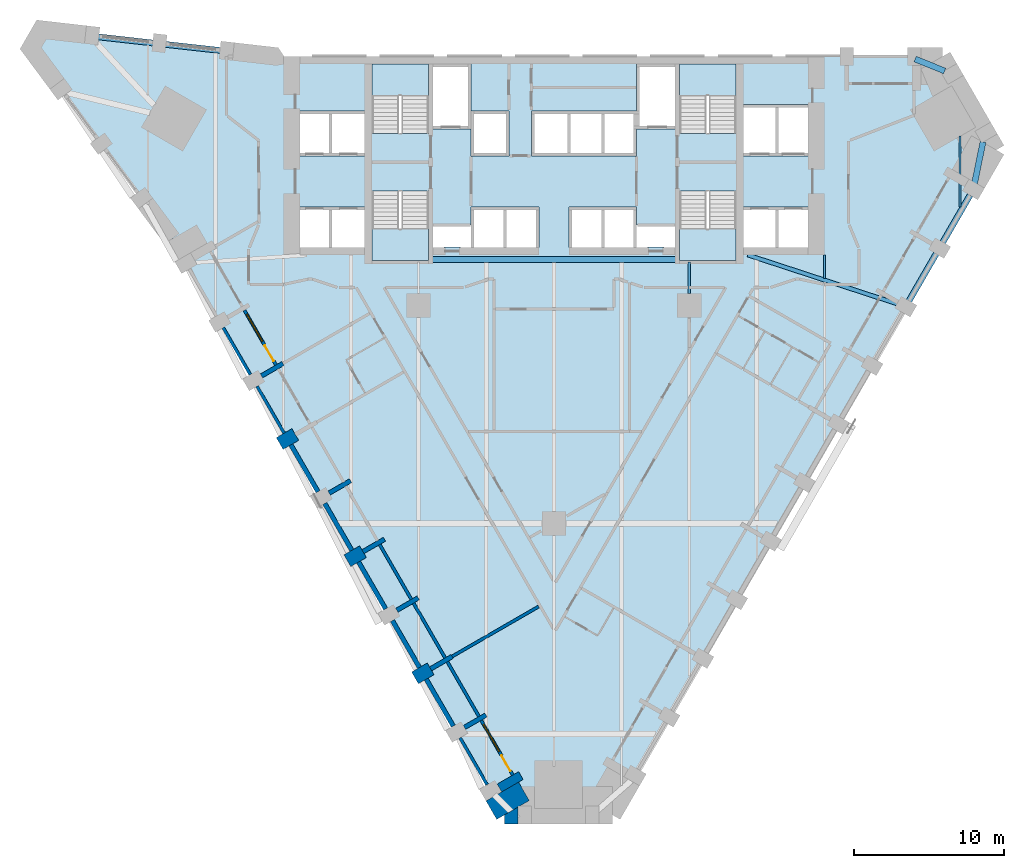
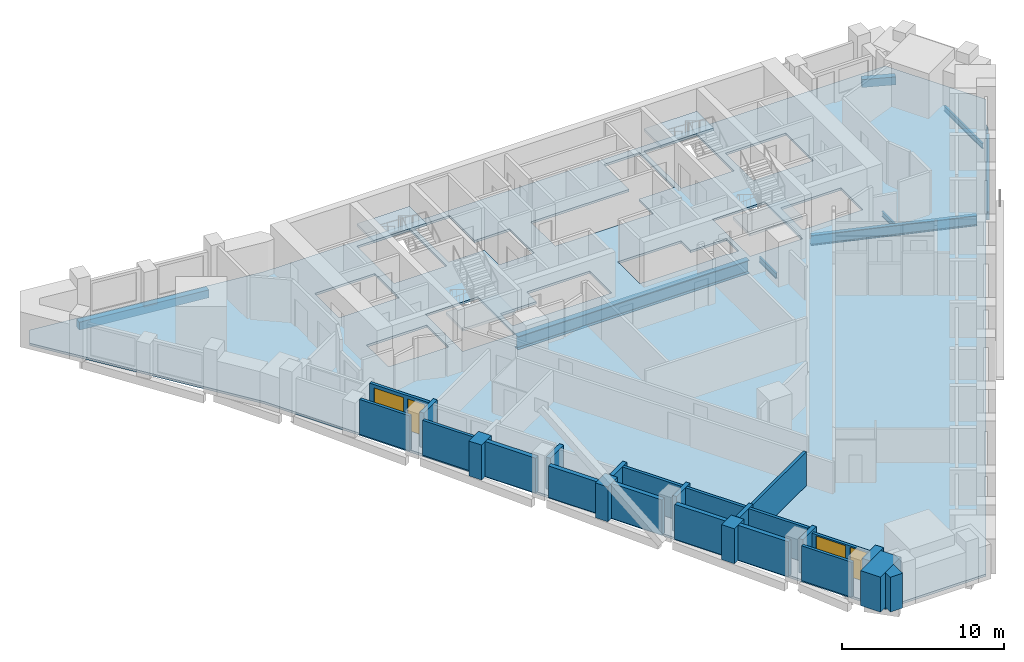
# One storey, part 2 of 10: 26 walls, 9 beams, 5 slabs, 2 doors, 2 windows, 4 openings, 4 elements without a shape of their own.
"""IFC4 building model written with IfcOpenShell, lengths in metres."""

from ifc_helpers import new_model, si_unit, direction, frame, frame_2d, origin, origin_2d, place, context, subcontext, project, spatial, polyline, rectangle, i_section, outline, extrude, material, layer, layer_set, material_profile, profile_set, type_object, element, fill, aggregate, save


model = new_model("IFC4")

# Units and contexts
model_context = context("Model", 3, precision=1e-05, world=origin(), true_north=direction((0.0, 1.0)))
body_context = subcontext(model_context, "Body", "Model", "MODEL_VIEW")
ifc_project = project(units=[si_unit("LENGTHUNIT", "METRE"), si_unit("AREAUNIT", "SQUARE_METRE"), si_unit("VOLUMEUNIT", "CUBIC_METRE"), si_unit("PLANEANGLEUNIT", "RADIAN"), si_unit("MASSUNIT", "GRAM", prefix="KILO")], contexts=[model_context])

# Site, building, storey
site_placement = place(None, origin())
site = spatial("IfcSite", under=ifc_project, at=site_placement, CompositionType="ELEMENT")
building_placement = place(site_placement, origin())
building = spatial("IfcBuilding", under=site, at=building_placement, Name="Calabash Gate Tower", CompositionType="ELEMENT")
storey_placement = place(building_placement, frame((0.0, 0.0, 59.60009765625)))
storey = spatial("IfcBuildingStorey", under=building, at=storey_placement, Name="L10", CompositionType="ELEMENT", Elevation=59.60009765625)

# Beams
ifc_material_1 = material(Name="Concrete C60/75", Category="concrete")
ifc_material_profile_1 = material_profile(ifc_material_1, rectangle(XDim=0.39990234375, YDim=0.60009765625, at=origin_2d()))
ifc_profile_set_1 = profile_set([ifc_material_profile_1], Name="Concrete C60/75")
beam_type_1 = type_object("IfcBeamType", Name="Edge beam RC 400x600 Concrete C60/75", PredefinedType="BEAM", material=ifc_profile_set_1)
beam_1_placement = place(storey_placement, frame((23.468017578125, 2.54296875, -0.47021484375), z_axis=(0.499990825162, 0.866030700815, 0.0), x_axis=(-0.866030700815, 0.499990825162, 0.0)))
element("IfcBeam", 1, at=beam_1_placement, inside=storey, type_object=beam_type_1, Name="Edge beam L10 11", PredefinedType="BEAM", context=body_context, shape_type="SweptSolid", body=[
    extrude(rectangle(XDim=0.39990234375, YDim=0.60009765625, at=origin_2d()), origin(), (0.0, 0.0, 1.0), 8.426025390625),
])
beam_2_placement = place(storey_placement, frame((27.923095703125, 10.360107421875, -0.47021484375), z_axis=(0.199986412569, 0.979798670538, 0.0), x_axis=(-0.979798670538, 0.199986412569, 0.0)))
element("IfcBeam", 2, at=beam_2_placement, inside=storey, type_object=beam_type_1, Name="Edge beam L10 12", PredefinedType="BEAM", context=body_context, shape_type="SweptSolid", body=[
    extrude(rectangle(XDim=0.39990234375, YDim=0.60009765625, at=origin_2d()), origin(), (0.0, 0.0, 1.0), 3.080078125),
])
beam_3_placement = place(storey_placement, frame((25.992919921875, 18.095947265625, -0.47021484375), z_axis=(-0.927506403422, 0.373807265327, 0.0), x_axis=(-0.373807265327, -0.927506403422, 0.0)))
element("IfcBeam", 3, at=beam_3_placement, inside=storey, type_object=beam_type_1, Name="Edge beam L10 13", PredefinedType="BEAM", context=body_context, shape_type="SweptSolid", body=[
    extrude(rectangle(XDim=0.39990234375, YDim=0.60009765625, at=origin_2d()), origin(), (0.0, 0.0, 1.0), 2.1240234375),
])
beam_4_placement = place(storey_placement, frame((-22.200927734375, 19.466064453125, -0.47021484375), z_axis=(-0.993834530579, 0.11087346765, 0.0), x_axis=(-0.11087346765, -0.993834530579, 0.0)))
element("IfcBeam", 4, at=beam_4_placement, inside=storey, type_object=beam_type_1, Name="Edge beam L10 14", PredefinedType="BEAM", context=body_context, shape_type="SweptSolid", body=[
    extrude(rectangle(XDim=0.39990234375, YDim=0.60009765625, at=origin_2d()), origin(), (0.0, 0.0, 1.0), 8.730712890625),
])
ifc_material_2 = material(Name="Steel ASTM A992 Gr50", Category="steel")
ifc_material_profile_2 = material_profile(ifc_material_2, i_section(OverallWidth=0.1396484375, OverallDepth=0.398681640625, WebThickness=0.00634765625, FlangeThickness=0.0087890625, FilletRadius=0.01025390625, at=origin_2d()))
ifc_profile_set_2 = profile_set([ifc_material_profile_2], Name="Steel ASTM A992 Gr50")
beam_type_2 = type_object("IfcBeamType", Name="Floor beam W16x26 ASTM A992 Gr50", PredefinedType="BEAM", material=ifc_profile_set_2)
beam_5_placement = place(storey_placement, frame((9.0, 3.300048828125, -0.369140625), z_axis=(0.0, 1.0, 0.0), x_axis=(-1.0, 0.0, 0.0)))
element("IfcBeam", 5, at=beam_5_placement, inside=storey, type_object=beam_type_2, Name="Floor beam L10 21", PredefinedType="BEAM", context=body_context, shape_type="SweptSolid", body=[
    extrude(i_section(OverallWidth=0.1396484375, OverallDepth=0.398681640625, WebThickness=0.00634765625, FlangeThickness=0.0087890625, FilletRadius=0.01025390625, at=origin_2d()), origin(), (0.0, 0.0, 1.0), 2.10302734375),
])
beam_6_placement = place(storey_placement, frame((18.0, 4.30810546875, -0.369140625), z_axis=(0.0, 1.0, 0.0), x_axis=(-1.0, 0.0, 0.0)))
element("IfcBeam", 6, at=beam_6_placement, inside=storey, type_object=beam_type_2, Name="Floor beam L10 25", PredefinedType="BEAM", context=body_context, shape_type="SweptSolid", body=[
    extrude(i_section(OverallWidth=0.1396484375, OverallDepth=0.398681640625, WebThickness=0.00634765625, FlangeThickness=0.0087890625, FilletRadius=0.01025390625, at=origin_2d()), origin(), (0.0, 0.0, 1.0), 1.544921875),
])
beam_7_placement = place(storey_placement, frame((27.0, 9.048095703125, -0.369140625), z_axis=(0.0, 1.0, 0.0), x_axis=(-1.0, 0.0, 0.0)))
element("IfcBeam", 7, at=beam_7_placement, inside=storey, type_object=beam_type_2, Name="Floor beam L10 26", PredefinedType="BEAM", context=body_context, shape_type="SweptSolid", body=[
    extrude(i_section(OverallWidth=0.1396484375, OverallDepth=0.398681640625, WebThickness=0.00634765625, FlangeThickness=0.0087890625, FilletRadius=0.01025390625, at=origin_2d()), origin(), (0.0, 0.0, 1.0), 4.724853515625),
])
ifc_material_3 = material(Name="Steel ASTM A992 Gr50", Category="steel")
ifc_material_profile_3 = material_profile(ifc_material_3, i_section(OverallWidth=0.2666015625, OverallDepth=0.77978515625, WebThickness=0.0166015625, FlangeThickness=0.030029296875, FilletRadius=0.0166015625, at=origin_2d()))
ifc_profile_set_3 = profile_set([ifc_material_profile_3], Name="Steel ASTM A992 Gr50")
beam_type_3 = type_object("IfcBeamType", Name="Girder W30x148 ASTM A992 Gr50", PredefinedType="BEAM", material=ifc_profile_set_3)
beam_8_placement = place(storey_placement, frame((22.846923828125, 2.60400390625, -0.56005859375), z_axis=(-0.950413781129, 0.310988174436, 0.0), x_axis=(-0.310988174436, -0.950413781129, 0.0)))
element("IfcBeam", 8, at=beam_8_placement, inside=storey, type_object=beam_type_3, Name="Girder L10 3", PredefinedType="BEAM", context=body_context, shape_type="SweptSolid", body=[
    extrude(i_section(OverallWidth=0.2666015625, OverallDepth=0.77978515625, WebThickness=0.0166015625, FlangeThickness=0.030029296875, FilletRadius=0.0166015625, at=origin_2d()), origin(), (0.0, 0.0, 1.0), 10.4794921875),
])
ifc_material_4 = material(Name="Steel ASTM A992 Gr50", Category="steel")
ifc_material_profile_4 = material_profile(ifc_material_4, i_section(OverallWidth=0.4013671875, OverallDepth=1.000732421875, WebThickness=0.01904296875, FlangeThickness=0.0361328125, FilletRadius=0.030029296875, at=origin_2d()))
ifc_profile_set_4 = profile_set([ifc_material_profile_4], Name="Steel ASTM A992 Gr50")
beam_type_4 = type_object("IfcBeamType", Name="Girder W40x249 ASTM A992 Gr50", PredefinedType="BEAM", material=ifc_profile_set_4)
beam_9_placement = place(storey_placement, frame((-8.25, 5.552978515625, -0.670166015625), z_axis=(1.0, 0.0, 0.0), x_axis=(0.0, 1.0, 0.0)))
element("IfcBeam", 9, at=beam_9_placement, inside=storey, type_object=beam_type_4, Name="Girder L10 1", PredefinedType="BEAM", context=body_context, shape_type="SweptSolid", body=[
    extrude(i_section(OverallWidth=0.4013671875, OverallDepth=1.000732421875, WebThickness=0.01904296875, FlangeThickness=0.0361328125, FilletRadius=0.030029296875, at=origin_2d()), origin(), (0.0, 0.0, 1.0), 16.5),
])

# Slab
ifc_material_5 = material(Name="Concrete C40/50", Category="concrete")
ifc_layer_1 = layer(ifc_material_5, 0.169921875)
ifc_layer_set_1 = layer_set([ifc_layer_1], Name="Composite floor slab 170 Concrete C40/50")
slab_type_1 = type_object("IfcSlabType", Name="Composite floor slab 170 Concrete C40/50", PredefinedType="FLOOR", material=ifc_layer_set_1)
slab_1_placement = place(storey_placement, frame((0.0, 0.0, -0.170166015625)))
element("IfcSlab", 10, at=slab_1_placement, inside=storey, type_object=slab_type_1, Name="Floor slab L10", PredefinedType="FLOOR", context=body_context, shape_type="SweptSolid", body=[
    extrude(outline(polyline([(-25.4033203125, 6.92822265625), (-34.7958984375, 19.606201171875), (-34.0791015625, 20.84765625), (-18.4033203125, 19.052490234375), (25.831298828125, 19.052490234375), (29.41552734375, 12.84423828125), (3.8828125, -31.380126953125), (-3.2861328125, -31.380126953125), (-25.4033203125, 6.92822265625)]), holes=[polyline([(-5.5, 9.052490234375), (-5.5, 7.8525390625), (-8.050048828125, 7.8525390625), (-8.050048828125, 6.3525390625), (-7.324951171875, 6.3525390625), (-7.324951171875, 6.402587890625), (-6.22509765625, 6.402587890625), (-6.22509765625, 6.3525390625), (-5.5, 6.3525390625), (-3.25, 6.3525390625), (-1.0, 6.3525390625), (-1.0, 9.052490234375), (-3.25, 9.052490234375), (-5.5, 9.052490234375)]), polyline([(5.5, 9.052490234375), (3.25, 9.052490234375), (1.0, 9.052490234375), (1.0, 6.3525390625), (3.25, 6.3525390625), (5.5, 6.3525390625), (6.22509765625, 6.3525390625), (6.22509765625, 6.402587890625), (7.324951171875, 6.402587890625), (7.324951171875, 6.3525390625), (8.050048828125, 6.3525390625), (8.050048828125, 7.8525390625), (5.5, 7.8525390625), (5.5, 9.052490234375)]), polyline([(-5.5, 14.252685546875), (-5.5, 12.45263671875), (-3.0, 12.45263671875), (-3.0, 15.45263671875), (-5.5, 15.45263671875), (-5.5, 18.552490234375), (-8.050048828125, 18.552490234375), (-8.050048828125, 14.252685546875), (-5.5, 14.252685546875)]), polyline([(8.050048828125, 18.552490234375), (5.5, 18.552490234375), (5.5, 15.45263671875), (3.25, 15.45263671875), (1.0, 15.45263671875), (-1.5, 15.45263671875), (-1.5, 12.45263671875), (1.0, 12.45263671875), (3.25, 12.45263671875), (5.5, 12.45263671875), (5.5, 14.252685546875), (8.050048828125, 14.252685546875), (8.050048828125, 18.552490234375)]), polyline([(-12.60009765625, 6.3525390625), (-12.60009765625, 9.052490234375), (-14.85009765625, 9.052490234375), (-16.89990234375, 9.052490234375), (-16.89990234375, 6.3525390625), (-14.85009765625, 6.3525390625), (-12.60009765625, 6.3525390625)]), polyline([(-14.85009765625, 12.45263671875), (-12.60009765625, 12.45263671875), (-12.60009765625, 15.45263671875), (-14.85009765625, 15.45263671875), (-16.89990234375, 15.45263671875), (-16.89990234375, 12.45263671875), (-14.85009765625, 12.45263671875)]), polyline([(14.85009765625, 6.3525390625), (16.89990234375, 6.3525390625), (16.89990234375, 9.052490234375), (14.85009765625, 9.052490234375), (12.60009765625, 9.052490234375), (12.60009765625, 6.3525390625), (14.85009765625, 6.3525390625)]), polyline([(14.85009765625, 12.45263671875), (16.89990234375, 12.45263671875), (16.89990234375, 15.8525390625), (14.85009765625, 15.8525390625), (12.60009765625, 15.8525390625), (12.60009765625, 12.45263671875), (14.85009765625, 12.45263671875)]), polyline([(-8.35009765625, 18.552490234375), (-12.10009765625, 18.552490234375), (-12.10009765625, 13.95263671875), (-8.35009765625, 13.95263671875), (-8.35009765625, 18.552490234375)]), polyline([(-12.10009765625, 10.1025390625), (-12.10009765625, 5.502685546875), (-8.35009765625, 5.502685546875), (-8.35009765625, 10.1025390625), (-12.10009765625, 10.1025390625)]), polyline([(8.35009765625, 13.95263671875), (12.10009765625, 13.95263671875), (12.10009765625, 18.552490234375), (8.35009765625, 18.552490234375), (8.35009765625, 13.95263671875)]), polyline([(12.10009765625, 5.502685546875), (12.10009765625, 10.1025390625), (8.35009765625, 10.1025390625), (8.35009765625, 5.502685546875), (12.10009765625, 5.502685546875)])]), origin(), (0.0, 0.0, 1.0), 0.170166015625),
])

# Stair, slab
ifc_material_6 = material(Name="Concrete C40/50", Category="concrete")
stair_type = type_object("IfcStairType", Name="Exit stair 20 risers of 170 mm", PredefinedType="HALF_TURN_STAIR", material=ifc_material_6)
stair_1_placement = place(storey_placement, origin())
stair_1 = element("IfcStair", 11, at=stair_1_placement, inside=storey, type_object=stair_type, Name="L10 Exit stair ST1", PredefinedType="HALF_TURN_STAIR")
ifc_material_7 = material(Name="Concrete C40/50", Category="concrete")
ifc_layer_2 = layer(ifc_material_7, 0.199951171875)
ifc_layer_set_2 = layer_set([ifc_layer_2], Name="Stair landing SL200")
slab_type_2 = type_object("IfcSlabType", Name="Stair landing SL200", PredefinedType="LANDING", material=ifc_layer_set_2)
slab_2_placement = place(storey_placement, frame((0.0, 0.0, 1.5)))
slab_2 = element("IfcSlab", 12, at=slab_2_placement, type_object=slab_type_2, Name="ST1 landing 1", PredefinedType="LANDING", context=body_context, shape_type="SweptSolid", body=[
    extrude(outline(polyline([(-8.35009765625, 16.463623046875), (-8.35009765625, 18.552490234375), (-12.10009765625, 18.552490234375), (-12.10009765625, 16.463623046875), (-8.35009765625, 16.463623046875)])), origin(), (0.0, 0.0, 1.0), 0.199951171875),
])
aggregate(stair_1, [slab_2])

stair_2_placement = place(storey_placement, origin())
stair_2 = element("IfcStair", 13, at=stair_2_placement, inside=storey, type_object=stair_type, Name="L10 Exit stair ST2", PredefinedType="HALF_TURN_STAIR")
slab_3_placement = place(storey_placement, frame((0.0, 0.0, 1.5)))
slab_3 = element("IfcSlab", 14, at=slab_3_placement, type_object=slab_type_2, Name="ST2 landing 1", PredefinedType="LANDING", context=body_context, shape_type="SweptSolid", body=[
    extrude(outline(polyline([(-12.10009765625, 7.591552734375), (-12.10009765625, 5.502685546875), (-8.35009765625, 5.502685546875), (-8.35009765625, 7.591552734375), (-12.10009765625, 7.591552734375)])), origin(), (0.0, 0.0, 1.0), 0.199951171875),
])
aggregate(stair_2, [slab_3])

stair_3_placement = place(storey_placement, origin())
stair_3 = element("IfcStair", 15, at=stair_3_placement, inside=storey, type_object=stair_type, Name="L10 Exit stair ST3", PredefinedType="HALF_TURN_STAIR")
slab_4_placement = place(storey_placement, frame((0.0, 0.0, 1.5)))
slab_4 = element("IfcSlab", 16, at=slab_4_placement, type_object=slab_type_2, Name="ST3 landing 1", PredefinedType="LANDING", context=body_context, shape_type="SweptSolid", body=[
    extrude(outline(polyline([(12.10009765625, 16.463623046875), (12.10009765625, 18.552490234375), (8.35009765625, 18.552490234375), (8.35009765625, 16.463623046875), (12.10009765625, 16.463623046875)])), origin(), (0.0, 0.0, 1.0), 0.199951171875),
])
aggregate(stair_3, [slab_4])

stair_4_placement = place(storey_placement, origin())
stair_4 = element("IfcStair", 17, at=stair_4_placement, inside=storey, type_object=stair_type, Name="L10 Exit stair ST4", PredefinedType="HALF_TURN_STAIR")
slab_5_placement = place(storey_placement, frame((0.0, 0.0, 1.5)))
slab_5 = element("IfcSlab", 18, at=slab_5_placement, type_object=slab_type_2, Name="ST4 landing 1", PredefinedType="LANDING", context=body_context, shape_type="SweptSolid", body=[
    extrude(outline(polyline([(8.35009765625, 7.591552734375), (8.35009765625, 5.502685546875), (12.10009765625, 5.502685546875), (12.10009765625, 7.591552734375), (8.35009765625, 7.591552734375)])), origin(), (0.0, 0.0, 1.0), 0.199951171875),
])
aggregate(stair_4, [slab_5])

# Walls
ifc_material_8 = material(Name="Terracotta brick masonry, exposed face", Category="masonry")
ifc_layer_3 = layer(ifc_material_8, 2.5)
ifc_layer_set_3 = layer_set([ifc_layer_3], Name="Brick corner mass wall 2500")
wall_type_1 = type_object("IfcWallType", Name="Brick corner mass wall 2500", PredefinedType="SOLIDWALL", material=ifc_layer_set_3)
wall_1_placement = place(storey_placement, frame((-1.994873046875, -29.81640625, 0.0), z_axis=(0.0, 0.0, 1.0), x_axis=(-0.866022959057, -0.500004234368, 0.0)))
element("IfcWall", 19, at=wall_1_placement, inside=storey, type_object=wall_type_1, Name="Brick corner pier S02 2a", PredefinedType="SOLIDWALL", context=body_context, shape_type="SweptSolid", body=[
    extrude(rectangle(XDim=2.5, YDim=1.417236328125, at=frame_2d((1.25, 0.0))), origin(), (0.0, 0.0, 1.0), 2.6298828125),
])
wall_2_placement = place(storey_placement, origin())
element("IfcWall", 20, at=wall_2_placement, inside=storey, type_object=wall_type_1, Name="Brick corner pier S02 2ba", PredefinedType="SOLIDWALL", context=body_context, shape_type="SweptSolid", body=[
    extrude(outline(polyline([(-3.2861328125, -31.380126953125), (-3.2861328125, -31.97998046875), (-2.402099609375, -31.97998046875), (-2.402099609375, -30.86962890625), (-3.2861328125, -31.380126953125)])), origin(), (0.0, 0.0, 1.0), 2.6298828125),
])
ifc_material_9 = material(Name="Terracotta brick masonry, exposed face", Category="masonry")
ifc_layer_4 = layer(ifc_material_9, 1.199951171875)
ifc_layer_set_4 = layer_set([ifc_layer_4], Name="Brick end wall 1200")
wall_type_2 = type_object("IfcWallType", Name="Brick end wall 1200", PredefinedType="SOLIDWALL", material=ifc_layer_set_4)
wall_3_placement = place(storey_placement, frame((-17.2001953125, -6.080322265625, 0.0), z_axis=(0.0, 0.0, 1.0), x_axis=(-0.866043267704, -0.499969057507, 0.0)))
element("IfcWall", 21, at=wall_3_placement, inside=storey, type_object=wall_type_2, Name="Brick pier S02 SW0.3", PredefinedType="SOLIDWALL", context=body_context, shape_type="SweptSolid", body=[
    extrude(rectangle(XDim=1.19970703125, YDim=0.89990234375, at=frame_2d((0.599853515625, 0.0))), origin(), (0.0, 0.0, 1.0), 2.6279296875),
])
for number, where, z_axis, x_axis, name in (
    (22, (-13.7392578125, -14.474609375, 0.0), (0.0, 0.0, 1.0), (0.865955154139, 0.50012165622, 0.0), "Brick pier S02 SW0.5"),
    (23, (-8.2001953125, -21.668701171875, 0.0), (0.0, 0.0, 1.0), (-0.865955154139, -0.50012165622, 0.0), "Brick pier S02 SW0.7"),
):
    element("IfcWall", number, at=place(storey_placement, frame(where, z_axis=z_axis, x_axis=x_axis)), inside=storey, type_object=wall_type_2, Name=name, PredefinedType="SOLIDWALL", context=body_context, shape_type="SweptSolid", body=[
        extrude(rectangle(XDim=1.199951171875, YDim=0.89990234375, at=frame_2d((0.60009765625, 0.0))), origin(), (0.0, 0.0, 1.0), 2.6298828125),
    ])
ifc_material_10 = material(Name="Terracotta brick masonry, exposed face", Category="masonry")
ifc_layer_5 = layer(ifc_material_10, 0.300048828125)
ifc_layer_set_5 = layer_set([ifc_layer_5], Name="Brick infill panel wall 300")
wall_type_3 = type_object("IfcWallType", Name="Brick infill panel wall 300", PredefinedType="SOLIDWALL", material=ifc_layer_set_5)
wall_4_placement = place(storey_placement, frame((-15.69482421875, -9.88720703125, 0.0), z_axis=(0.0, 0.0, 1.0), x_axis=(-0.50001992892, 0.866013897511, 0.0)))
element("IfcWall", 24, at=wall_4_placement, inside=storey, type_object=wall_type_3, Name="Brick panel S02 SW0.4", PredefinedType="SOLIDWALL", context=body_context, shape_type="SweptSolid", body=[
    extrude(rectangle(XDim=3.599365234375, YDim=0.300048828125, at=frame_2d((1.7998046875, 0.0))), origin(), (0.0, 0.0, 1.0), 2.6298828125),
])
wall_5_placement = place(storey_placement, frame((-15.24462890625, -10.6669921875, 0.0), z_axis=(0.0, 0.0, 1.0), x_axis=(0.499961193289, -0.866047807691, 0.0)))
element("IfcWall", 25, at=wall_5_placement, inside=storey, type_object=wall_type_3, Name="Brick panel S02 SW0.5", PredefinedType="SOLIDWALL", context=body_context, shape_type="SweptSolid", body=[
    extrude(rectangle(XDim=3.599853515625, YDim=0.300048828125, at=frame_2d((1.7998046875, 0.0))), origin(), (0.0, 0.0, 1.0), 2.3740234375),
])
for number, where, z_axis, x_axis, name in (
    (26, (-12.99462890625, -14.564208984375, 0.0), (0.0, 0.0, 1.0), (0.499961193289, -0.866047807691, 0.0), "Brick panel S02 SW0.6"),
    (27, (-10.74462890625, -18.46142578125, 0.0), (0.0, 0.0, 1.0), (0.499961193289, -0.866047807691, 0.0), "Brick panel S02 SW0.7"),
    (28, (-8.49462890625, -22.3583984375, 0.0), (0.0, 0.0, 1.0), (0.499961193289, -0.866047807691, 0.0), "Brick panel S02 SW0.8"),
):
    element("IfcWall", number, at=place(storey_placement, frame(where, z_axis=z_axis, x_axis=x_axis)), inside=storey, type_object=wall_type_3, Name=name, PredefinedType="SOLIDWALL", context=body_context, shape_type="SweptSolid", body=[
        extrude(rectangle(XDim=3.599853515625, YDim=0.300048828125, at=frame_2d((1.7998046875, 0.0))), origin(), (0.0, 0.0, 1.0), 2.6298828125),
    ])
ifc_material_11 = material(Name="Terracotta brick masonry, exposed face", Category="masonry")
ifc_layer_6 = layer(ifc_material_11, 0.300048828125)
ifc_layer_set_6 = layer_set([ifc_layer_6], Name="Brick loggia cheek wall 300")
wall_type_4 = type_object("IfcWallType", Name="Brick loggia cheek wall 300", PredefinedType="SOLIDWALL", material=ifc_layer_set_6)
wall_6_placement = place(storey_placement, frame((-18.021240234375, -1.358154296875, 0.0), z_axis=(0.0, 0.0, 1.0), x_axis=(-0.866040211805, -0.499974350878, 0.0)))
element("IfcWall", 29, at=wall_6_placement, inside=storey, type_object=wall_type_4, Name="Loggia cheek S02 SW0.2", PredefinedType="SOLIDWALL", context=body_context, shape_type="SweptSolid", body=[
    extrude(rectangle(XDim=1.64990234375, YDim=0.300048828125, at=frame_2d((0.824951171875, 0.0))), origin(), (0.0, 0.0, 1.0), 2.6279296875),
])
wall_7_placement = place(storey_placement, frame((-14.9501953125, -9.977294921875, 0.0), z_axis=(0.0, 0.0, 1.0), x_axis=(0.866040211805, 0.499974350878, 0.0)))
element("IfcWall", 30, at=wall_7_placement, inside=storey, type_object=wall_type_4, Name="Loggia cheek S02 SW0.4", PredefinedType="SOLIDWALL", context=body_context, shape_type="SweptSolid", body=[
    extrude(rectangle(XDim=1.64990234375, YDim=0.300048828125, at=frame_2d((0.824951171875, 0.0))), origin(), (0.0, 0.0, 1.0), 2.384033203125),
])
for number, where, z_axis, x_axis, name in (
    (31, (-11.271240234375, -13.049560546875, 0.0), (0.0, 0.0, 1.0), (-0.866040211805, -0.499974350878, 0.0), "Loggia cheek S02 SW0.5"),
    (32, (-9.021240234375, -16.946533203125, 0.0), (0.0, 0.0, 1.0), (-0.866040211805, -0.499974350878, 0.0), "Loggia cheek S02 SW0.6"),
    (33, (-6.771240234375, -20.84375, 0.0), (0.0, 0.0, 1.0), (-0.866040211805, -0.499974350878, 0.0), "Loggia cheek S02 SW0.7"),
):
    element("IfcWall", number, at=place(storey_placement, frame(where, z_axis=z_axis, x_axis=x_axis)), inside=storey, type_object=wall_type_4, Name=name, PredefinedType="SOLIDWALL", context=body_context, shape_type="SweptSolid", body=[
        extrude(rectangle(XDim=1.64990234375, YDim=0.300048828125, at=frame_2d((0.824951171875, 0.0))), origin(), (0.0, 0.0, 1.0), 2.64990234375),
    ])
wall_8_placement = place(storey_placement, frame((-4.521240234375, -24.74072265625, 0.0), z_axis=(0.0, 0.0, 1.0), x_axis=(-0.865976140824, -0.500085316245, 0.0)))
element("IfcWall", 34, at=wall_8_placement, inside=storey, type_object=wall_type_4, Name="Loggia cheek S02 SW0.8", PredefinedType="SOLIDWALL", context=body_context, shape_type="SweptSolid", body=[
    extrude(rectangle(XDim=1.650146484375, YDim=0.300048828125, at=frame_2d((0.8251953125, 0.0))), origin(), (0.0, 0.0, 1.0), 2.5517578125),
])
wall_9_placement = place(storey_placement, frame((-3.625, -29.5927734375, 0.0), z_axis=(0.0, 0.0, 1.0), x_axis=(0.866040211805, 0.499974350878, 0.0)))
element("IfcWall", 35, at=wall_9_placement, inside=storey, type_object=wall_type_4, Name="Loggia cheek S02 SW0.9", PredefinedType="SOLIDWALL", context=body_context, shape_type="SweptSolid", body=[
    extrude(rectangle(XDim=1.64990234375, YDim=0.60009765625, at=frame_2d((0.824951171875, 0.0))), origin(), (0.0, 0.0, 1.0), 2.6298828125),
])
ifc_material_12 = material(Name="Gypsum board on steel studs, mineral wool", Category="steel")
ifc_layer_7 = layer(ifc_material_12, 0.199951171875)
ifc_layer_set_7 = layer_set([ifc_layer_7], Name="Partition 200 gypsum board EI 60")
wall_type_5 = type_object("IfcWallType", Name="Partition 200 gypsum board EI 60", PredefinedType="PARTITIONING", material=ifc_layer_set_7)
wall_10_placement = place(storey_placement, frame((-6.77099609375, -20.84423828125, 0.0), z_axis=(0.0, 0.0, 1.0), x_axis=(0.866140962391, 0.499799793185, 0.0)))
element("IfcWall", 36, at=wall_10_placement, inside=storey, type_object=wall_type_5, Name="Partition", PredefinedType="PARTITIONING", context=body_context, shape_type="SweptSolid", body=[
    extrude(rectangle(XDim=6.649658203125, YDim=0.199951171875, at=frame_2d((3.32470703125, 0.0))), origin(), (0.0, 0.0, 1.0), 2.5517578125),
])
ifc_material_13 = material(Name="Terracotta brick masonry, perforated", Category="masonry")
ifc_layer_8 = layer(ifc_material_13, 0.199951171875)
ifc_layer_set_8 = layer_set([ifc_layer_8], Name="Terracotta jaali screen B")
wall_type_6 = type_object("IfcWallType", Name="Terracotta jaali screen B", PredefinedType="SOLIDWALL", material=ifc_layer_set_8)
wall_11_placement = place(storey_placement, frame((-21.99462890625, 1.024169921875, 0.0), z_axis=(0.0, 0.0, 1.0), x_axis=(0.499961193289, -0.866047807691, 0.0)))
element("IfcWall", 37, at=wall_11_placement, inside=storey, type_object=wall_type_6, Name="SCREEN B S02 SW0.2", PredefinedType="SOLIDWALL", context=body_context, shape_type="SweptSolid", body=[
    extrude(rectangle(XDim=3.599853515625, YDim=0.199951171875, at=frame_2d((1.7998046875, 0.0))), origin(), (0.0, 0.0, 1.0), 2.6298828125),
])
wall_12_placement = place(storey_placement, frame((-19.74462890625, -2.872802734375, 0.0), z_axis=(0.0, 0.0, 1.0), x_axis=(0.499961193289, -0.866047807691, 0.0)))
element("IfcWall", 38, at=wall_12_placement, inside=storey, type_object=wall_type_6, Name="SCREEN B S02 SW0.3", PredefinedType="SOLIDWALL", context=body_context, shape_type="SweptSolid", body=[
    extrude(rectangle(XDim=3.599853515625, YDim=0.199951171875, at=frame_2d((1.7998046875, 0.0))), origin(), (0.0, 0.0, 1.0), 2.6279296875),
])
wall_13_placement = place(storey_placement, frame((-6.24462890625, -26.255615234375, 0.0), z_axis=(0.0, 0.0, 1.0), x_axis=(0.499961193289, -0.866047807691, 0.0)))
element("IfcWall", 39, at=wall_13_placement, inside=storey, type_object=wall_type_6, Name="SCREEN B S02 SW0.9", PredefinedType="SOLIDWALL", context=body_context, shape_type="SweptSolid", body=[
    extrude(rectangle(XDim=3.599853515625, YDim=0.199951171875, at=frame_2d((1.7998046875, 0.0))), origin(), (0.0, 0.0, 1.0), 2.6298828125),
])

# Wall, openings, door, window
ifc_material_14 = material(Name="Aluminium framed window wall with insulated spandrel", Category="aluminium")
ifc_layer_9 = layer(ifc_material_14, 0.199951171875)
ifc_layer_set_9 = layer_set([ifc_layer_9], Name="Window wall 200")
wall_type_7 = type_object("IfcWallType", Name="Window wall 200", PredefinedType="ELEMENTEDWALL", material=ifc_layer_set_9)
wall_14_placement = place(storey_placement, frame((-20.5859375, 2.18408203125, 0.0), z_axis=(0.0, 0.0, 1.0), x_axis=(0.500027713859, -0.866009402589, 0.0)))
wall_14 = element("IfcWall", 40, at=wall_14_placement, inside=storey, type_object=wall_type_7, Name="Window wall S02 SW0.2", PredefinedType="ELEMENTEDWALL", context=body_context, shape_type="SweptSolid", body=[
    extrude(rectangle(XDim=4.199951171875, YDim=0.199951171875, at=frame_2d((2.10009765625, 0.0))), origin(), (0.0, 0.0, 1.0), 2.64990234375),
])
opening_1_placement = place(wall_14_placement, frame((0.300048828125, 0.0, 0.60009765625)))
opening_1 = element("IfcOpeningElement", 41, at=opening_1_placement, cuts=wall_14, Name="Opening HW1", PredefinedType="OPENING", context=body_context, shape_type="SweptSolid", body=[
    extrude(rectangle(XDim=2.10009765625, YDim=1.800048828125, at=frame_2d((1.050048828125, 0.89990234375))), frame((0.0, 0.10986328125, 0.0), z_axis=(0.0, -1.0, 0.0), x_axis=(1.0, 0.0, 0.0)), (0.0, 0.0, 1.0), 0.219970703125),
])
opening_2_placement = place(wall_14_placement, frame((2.699951171875, 0.0, 0.0)))
opening_2 = element("IfcOpeningElement", 42, at=opening_2_placement, cuts=wall_14, Name="Opening H2-024", PredefinedType="OPENING", context=body_context, shape_type="SweptSolid", body=[
    extrude(rectangle(XDim=1.199951171875, YDim=2.39990234375, at=frame_2d((0.60009765625, 1.199951171875))), frame((0.0, 0.10986328125, 0.0), z_axis=(0.0, -1.0, 0.0), x_axis=(1.0, 0.0, 0.0)), (0.0, 0.0, 1.0), 0.219970703125),
])
ifc_material_15 = material(Name="Anodised aluminium frame, bronze finish, impact-rated laminated clear glazing", Category="aluminium")
door_type_1 = type_object("IfcDoorType", Name="Loggia door DH1 1200x2400", OperationType="SLIDING_TO_LEFT", PredefinedType="DOOR", material=ifc_material_15)
door_1_placement = place(opening_2_placement, origin())
door_1 = element("IfcDoor", 43, at=door_1_placement, inside=storey, type_object=door_type_1, Name="Loggia door S02 SW0.2", OperationType="SINGLE_SWING_LEFT", OverallHeight=2.39990234375, OverallWidth=1.199951171875, PredefinedType="DOOR", context=body_context, shape_type="SweptSolid", body=[
    extrude(rectangle(XDim=1.199951171875, YDim=2.39990234375, at=frame_2d((0.60009765625, 1.199951171875))), frame((0.0, 0.02490234375, 0.0), z_axis=(0.0, -1.0, 0.0), x_axis=(1.0, 0.0, 0.0)), (0.0, 0.0, 1.0), 0.050048828125),
])
fill(opening_2, door_1)
ifc_material_16 = material(Name="Anodised aluminium frame, bronze finish, impact-rated laminated clear glazing", Category="aluminium")
window_type_1 = type_object("IfcWindowType", Name="Window HW1 2100x1800", PartitioningType="DOUBLE_PANEL_VERTICAL", PredefinedType="WINDOW", material=ifc_material_16)
window_1_placement = place(opening_1_placement, origin())
window_1 = element("IfcWindow", 44, at=window_1_placement, inside=storey, type_object=window_type_1, Name="Window HW1 S02 SW0.2", OverallHeight=1.800048828125, OverallWidth=2.10009765625, PartitioningType="SINGLE_PANEL", PredefinedType="WINDOW", context=body_context, shape_type="SweptSolid", body=[
    extrude(rectangle(XDim=2.10009765625, YDim=1.800048828125, at=frame_2d((1.050048828125, 0.89990234375))), frame((0.0, 0.030029296875, 0.0), z_axis=(0.0, -1.0, 0.0), x_axis=(1.0, 0.0, 0.0)), (0.0, 0.0, 1.0), 0.06005859375),
])
fill(opening_1, window_1)

# Walls
wall_15_placement = place(storey_placement, frame((-11.5859375, -13.404296875, 0.0), z_axis=(0.0, 0.0, 1.0), x_axis=(0.500002543286, -0.866023935413, 0.0)))
element("IfcWall", 45, at=wall_15_placement, inside=storey, type_object=wall_type_7, Name="Window wall S02 SW0.6", PredefinedType="ELEMENTEDWALL", context=body_context, shape_type="SweptSolid", body=[
    extrude(rectangle(XDim=4.2001953125, YDim=0.199951171875, at=frame_2d((2.10009765625, 0.0))), origin(), (0.0, 0.0, 1.0), 2.64990234375),
])
for number, where, z_axis, x_axis, name in (
    (46, (-9.3359375, -17.301513671875, 0.0), (0.0, 0.0, 1.0), (0.500027713859, -0.866009402589, 0.0), "Window wall S02 SW0.7"),
    (47, (-7.0859375, -21.19873046875, 0.0), (0.0, 0.0, 1.0), (0.500027713859, -0.866009402589, 0.0), "Window wall S02 SW0.8"),
):
    element("IfcWall", number, at=place(storey_placement, frame(where, z_axis=z_axis, x_axis=x_axis)), inside=storey, type_object=wall_type_7, Name=name, PredefinedType="ELEMENTEDWALL", context=body_context, shape_type="SweptSolid", body=[
        extrude(rectangle(XDim=4.199951171875, YDim=0.199951171875, at=frame_2d((2.10009765625, 0.0))), origin(), (0.0, 0.0, 1.0), 2.64990234375),
    ])

# Wall, openings, door, window
wall_16_placement = place(storey_placement, frame((-4.8359375, -25.095703125, 0.0), z_axis=(0.0, 0.0, 1.0), x_axis=(0.500002543286, -0.866023935413, 0.0)))
wall_16 = element("IfcWall", 48, at=wall_16_placement, inside=storey, type_object=wall_type_7, Name="Window wall S02 SW0.9", PredefinedType="ELEMENTEDWALL", context=body_context, shape_type="SweptSolid", body=[
    extrude(rectangle(XDim=4.2001953125, YDim=0.199951171875, at=frame_2d((2.10009765625, 0.0))), origin(), (0.0, 0.0, 1.0), 2.3740234375),
])
opening_3_placement = place(wall_16_placement, frame((0.300048828125, 0.0, 0.60009765625)))
opening_3 = element("IfcOpeningElement", 49, at=opening_3_placement, cuts=wall_16, Name="Opening HW1L-1670", PredefinedType="OPENING", context=body_context, shape_type="SweptSolid", body=[
    extrude(rectangle(XDim=2.10009765625, YDim=1.669921875, at=frame_2d((1.050048828125, 0.8349609375))), frame((0.0, 0.10986328125, 0.0), z_axis=(0.0, -1.0, 0.0), x_axis=(1.0, 0.0, 0.0)), (0.0, 0.0, 1.0), 0.219970703125),
])
opening_4_placement = place(wall_16_placement, frame((2.699951171875, 0.0, 0.0)))
opening_4 = element("IfcOpeningElement", 50, at=opening_4_placement, cuts=wall_16, Name="Opening H2-026", PredefinedType="OPENING", context=body_context, shape_type="SweptSolid", body=[
    extrude(rectangle(XDim=1.199951171875, YDim=2.27001953125, at=frame_2d((0.60009765625, 1.135009765625))), frame((0.0, 0.10986328125, 0.0), z_axis=(0.0, -1.0, 0.0), x_axis=(1.0, 0.0, 0.0)), (0.0, 0.0, 1.0), 0.219970703125),
])
ifc_material_17 = material(Name="Anodised aluminium frame, bronze finish, impact-rated laminated clear glazing", Category="aluminium")
door_type_2 = type_object("IfcDoorType", Name="Loggia door DH1L-2270 1200x2270", OperationType="SLIDING_TO_LEFT", PredefinedType="DOOR", material=ifc_material_17)
door_2_placement = place(opening_4_placement, origin())
door_2 = element("IfcDoor", 51, at=door_2_placement, inside=storey, type_object=door_type_2, Name="Loggia door S02 SW0.9", OperationType="SINGLE_SWING_LEFT", OverallHeight=2.27001953125, OverallWidth=1.199951171875, PredefinedType="DOOR", context=body_context, shape_type="SweptSolid", body=[
    extrude(rectangle(XDim=1.199951171875, YDim=2.27001953125, at=frame_2d((0.60009765625, 1.135009765625))), frame((0.0, 0.02490234375, 0.0), z_axis=(0.0, -1.0, 0.0), x_axis=(1.0, 0.0, 0.0)), (0.0, 0.0, 1.0), 0.050048828125),
])
fill(opening_4, door_2)
ifc_material_18 = material(Name="Anodised aluminium frame, bronze finish, impact-rated laminated clear glazing", Category="aluminium")
window_type_2 = type_object("IfcWindowType", Name="Window HW1L 2100x1670", PartitioningType="DOUBLE_PANEL_VERTICAL", PredefinedType="WINDOW", material=ifc_material_18)
window_2_placement = place(opening_3_placement, origin())
window_2 = element("IfcWindow", 52, at=window_2_placement, inside=storey, type_object=window_type_2, Name="Window HW1 S02 SW0.9", OverallHeight=1.669921875, OverallWidth=2.10009765625, PartitioningType="SINGLE_PANEL", PredefinedType="WINDOW", context=body_context, shape_type="SweptSolid", body=[
    extrude(rectangle(XDim=2.10009765625, YDim=1.669921875, at=frame_2d((1.050048828125, 0.8349609375))), frame((0.0, 0.030029296875, 0.0), z_axis=(0.0, -1.0, 0.0), x_axis=(1.0, 0.0, 0.0)), (0.0, 0.0, 1.0), 0.06005859375),
])
fill(opening_3, window_2)

save(model, "model.ifc")
